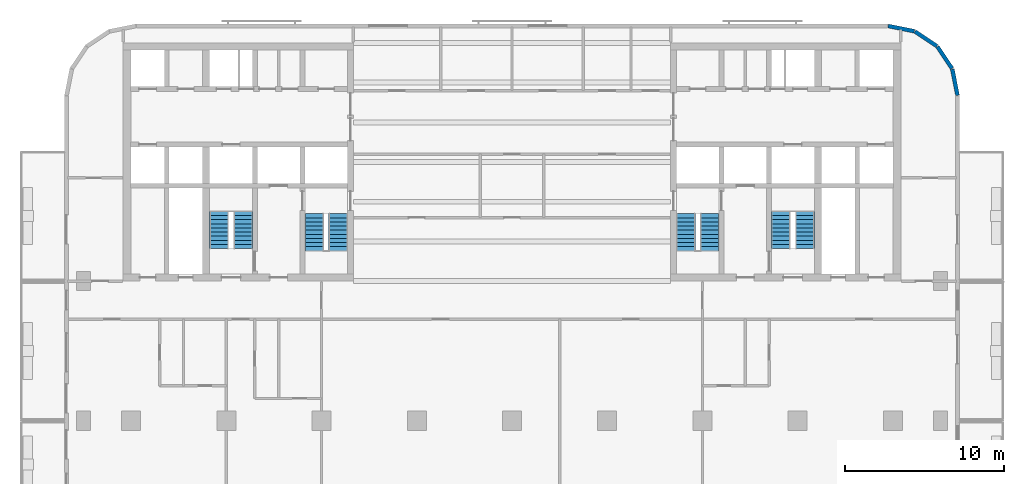
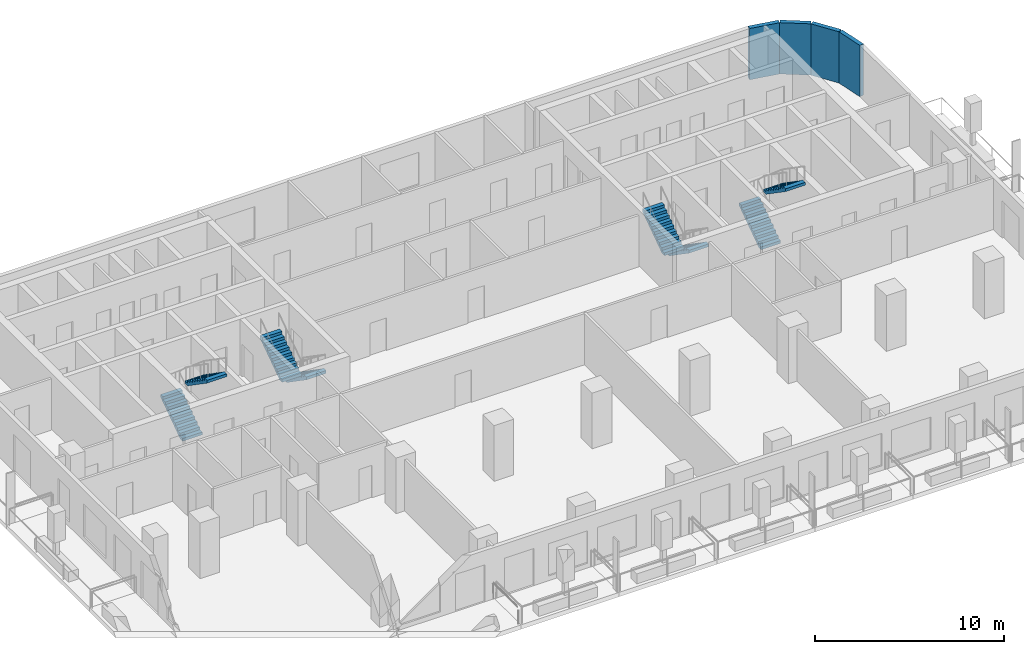
# One storey, part 7 of 11: 8 stair flights, 4 walls, 4 elements without a shape of their own.
"""IFC4 building model written with IfcOpenShell, lengths in metres."""

from ifc_helpers import new_model, si_unit, direction, frame, frame_2d, origin, place, context, subcontext, project, spatial, polyline, rectangle, outline, extrude, material, layer, layer_set, type_object, element, aggregate, save


model = new_model("IFC4")

# Units and contexts
model_context = context("Model", 3, precision=1e-05, world=origin(), true_north=direction((0.0, 1.0)))
body_context = subcontext(model_context, "Body", "Model", "MODEL_VIEW")
ifc_project = project(units=[si_unit("LENGTHUNIT", "METRE"), si_unit("AREAUNIT", "SQUARE_METRE"), si_unit("VOLUMEUNIT", "CUBIC_METRE"), si_unit("PLANEANGLEUNIT", "RADIAN"), si_unit("MASSUNIT", "GRAM", prefix="KILO")], contexts=[model_context])

# Site, building, storey
site_placement = place(None, origin())
site = spatial("IfcSite", under=ifc_project, at=site_placement, CompositionType="ELEMENT")
building_placement = place(site_placement, origin())
building = spatial("IfcBuilding", under=site, at=building_placement, Name="Torana Hotel and Residences", CompositionType="ELEMENT")
storey_placement = place(building_placement, frame((0.0, 0.0, 166.800048828125)))
storey = spatial("IfcBuildingStorey", under=building, at=storey_placement, Name="L43", CompositionType="ELEMENT", Elevation=166.800048828125)

# Walls
ifc_material_1 = material(Name="Black aluminium composite panel", Category="aluminium")
ifc_layer_1 = layer(ifc_material_1, 0.00390625, Name="Cladding", Category="cladding")
ifc_material_2 = material(Name="Ventilated air cavity")
ifc_layer_2 = layer(ifc_material_2, 0.0400390625, Name="Ventilated cavity", Category="cavity")
ifc_material_3 = material(Name="Mineral wool insulation")
ifc_layer_3 = layer(ifc_material_3, 0.090087890625, Name="Insulation", Category="insulation")
ifc_material_4 = material(Name="Steel S280GD", Category="steel")
ifc_layer_4 = layer(ifc_material_4, 0.092041015625, Name="Steel stud frame", Category="structure")
ifc_material_5 = material(Name="Fire rated plasterboard")
ifc_layer_5 = layer(ifc_material_5, 0.011962890625, Name="Inner board", Category="finish")
ifc_layer_6 = layer(ifc_material_5, 0.011962890625, Name="Second board", Category="finish")
ifc_layer_set = layer_set([ifc_layer_1, ifc_layer_2, ifc_layer_3, ifc_layer_4, ifc_layer_5, ifc_layer_6], Name="EW1 EXTERNAL WALL BLACK METAL CLAD 250")
wall_type = type_object("IfcWallType", Name="EW1 EXTERNAL WALL BLACK METAL CLAD 250", PredefinedType="SOLIDWALL", material=ifc_layer_set)
wall_1_placement = place(storey_placement, frame((28.072509765625, -3.30029296875, 0.0), z_axis=(0.0, 0.0, 1.0), x_axis=(-0.194999110559, 0.980803419081, 0.0)))
element("IfcWall", 1, at=wall_1_placement, inside=storey, type_object=wall_type, Name="External wall L43 e0.0", PredefinedType="SOLIDWALL", context=body_context, shape_type="SweptSolid", body=[
    extrude(rectangle(XDim=1.681396484375, YDim=0.25, at=frame_2d((0.8408203125, 0.0))), origin(), (0.0, 0.0, 1.0), 3.320068359375),
])
for number, where, z_axis, x_axis, name in (
    (2, (27.725830078125, -1.60595703125, 0.0), (0.0, 0.0, 1.0), (-0.55555029066, 0.831482937015, 0.0), "External wall L43 e0.1"),
    (3, (26.771240234375, -0.1943359375, 0.0), (0.0, 0.0, 1.0), (-0.831482937015, 0.55555029066, 0.0), "External wall L43 e0.2"),
):
    element("IfcWall", number, at=place(storey_placement, frame(where, z_axis=z_axis, x_axis=x_axis)), inside=storey, type_object=wall_type, Name=name, PredefinedType="SOLIDWALL", context=body_context, shape_type="SweptSolid", body=[
        extrude(rectangle(XDim=1.65625, YDim=0.25, at=frame_2d((0.828125, 0.0))), origin(), (0.0, 0.0, 1.0), 3.320068359375),
    ])
wall_2_placement = place(storey_placement, frame((25.348876953125, 0.74462890625, 0.0), z_axis=(0.0, 0.0, 1.0), x_axis=(-0.980803419081, 0.194999110559, 0.0)))
element("IfcWall", 4, at=wall_2_placement, inside=storey, type_object=wall_type, Name="External wall L43 e0.3", PredefinedType="SOLIDWALL", context=body_context, shape_type="SweptSolid", body=[
    extrude(rectangle(XDim=1.681396484375, YDim=0.25, at=frame_2d((0.8408203125, 0.0))), origin(), (0.0, 0.0, 1.0), 3.320068359375),
])

# Stair, stair flights
ifc_material_6 = material(Name="Concrete C40/50 precast", Category="concrete")
stair_type_1 = type_object("IfcStairType", Name="STAIR ST1 HALF TURN 1200", PredefinedType="HALF_TURN_STAIR", material=ifc_material_6)
stair_1_placement = place(storey_placement, origin())
stair_1 = element("IfcStair", 5, at=stair_1_placement, inside=storey, type_object=stair_type_1, Name="Stair ST1 L43", PredefinedType="HALF_TURN_STAIR")
ifc_material_7 = material(Name="Concrete C40/50 precast", Category="concrete")
stair_flight_type = type_object("IfcStairFlightType", Name="STAIR FLIGHT 1200 PRECAST", PredefinedType="STRAIGHT", material=ifc_material_7)
stair_flight_1_placement = place(storey_placement, frame((-10.949951171875, -10.75, 0.0), z_axis=(0.0, 0.0, 1.0), x_axis=(0.0, -1.0, 0.0)))
stair_flight_1 = element("IfcStairFlight", 6, at=stair_flight_1_placement, type_object=stair_flight_type, Name="ST1 flight 1", NumberOfRisers=10, NumberOfTreads=9, PredefinedType="STRAIGHT", RiserHeight=0.18, TreadLength=0.26, context=body_context, shape_type="SweptSolid", body=[
    extrude(outline(polyline([(0.0, 0.0), (0.0, 0.179931640625), (0.260009765625, 0.179931640625), (0.260009765625, 0.360107421875), (0.52001953125, 0.360107421875), (0.52001953125, 0.5400390625), (0.780029296875, 0.5400390625), (0.780029296875, 0.719970703125), (1.0400390625, 0.719970703125), (1.0400390625, 0.89990234375), (1.300048828125, 0.89990234375), (1.300048828125, 1.080078125), (1.56005859375, 1.080078125), (1.56005859375, 1.260009765625), (1.820068359375, 1.260009765625), (1.820068359375, 1.43994140625), (2.080078125, 1.43994140625), (2.080078125, 1.6201171875), (2.340087890625, 1.6201171875), (2.340087890625, 1.800048828125), (2.340087890625, 1.437744140625), (0.263427734375, 0.0), (0.0, 0.0)])), frame((0.0, 0.60009765625, 0.0), z_axis=(0.0, -1.0, 0.0), x_axis=(1.0, 0.0, 0.0)), (0.0, 0.0, 1.0), 1.199951171875),
])
stair_flight_2_placement = place(storey_placement, frame((-12.449951171875, -13.090087890625, 1.800048828125), z_axis=(0.0, 0.0, 1.0), x_axis=(0.0, 1.0, 0.0)))
stair_flight_2 = element("IfcStairFlight", 7, at=stair_flight_2_placement, type_object=stair_flight_type, Name="ST1 flight 2", NumberOfRisers=10, NumberOfTreads=9, PredefinedType="STRAIGHT", RiserHeight=0.18, TreadLength=0.26, context=body_context, shape_type="SweptSolid", body=[
    extrude(outline(polyline([(0.0, 0.0), (0.0, 0.179931640625), (0.260009765625, 0.179931640625), (0.260009765625, 0.360107421875), (0.52001953125, 0.360107421875), (0.52001953125, 0.5400390625), (0.780029296875, 0.5400390625), (0.780029296875, 0.719970703125), (1.0400390625, 0.719970703125), (1.0400390625, 0.89990234375), (1.300048828125, 0.89990234375), (1.300048828125, 1.080078125), (1.56005859375, 1.080078125), (1.56005859375, 1.260009765625), (1.820068359375, 1.260009765625), (1.820068359375, 1.43994140625), (2.080078125, 1.43994140625), (2.080078125, 1.6201171875), (2.340087890625, 1.6201171875), (2.340087890625, 1.800048828125), (2.340087890625, 1.437744140625), (0.263427734375, 0.0), (0.0, 0.0)])), frame((0.0, 0.60009765625, 0.0), z_axis=(0.0, -1.0, 0.0), x_axis=(1.0, 0.0, 0.0)), (0.0, 0.0, 1.0), 1.199951171875),
])
aggregate(stair_1, [stair_flight_1, stair_flight_2])

ifc_material_8 = material(Name="Concrete C40/50 precast", Category="concrete")
stair_type_2 = type_object("IfcStairType", Name="STAIR ST2 HALF TURN 1200", PredefinedType="HALF_TURN_STAIR", material=ifc_material_8)
stair_2_placement = place(storey_placement, origin())
stair_2 = element("IfcStair", 8, at=stair_2_placement, inside=storey, type_object=stair_type_2, Name="Stair ST2 L43", PredefinedType="HALF_TURN_STAIR")
stair_flight_3_placement = place(storey_placement, frame((-18.449951171875, -12.949951171875, 0.0), z_axis=(0.0, 0.0, 1.0), x_axis=(0.0, 1.0, 0.0)))
stair_flight_3 = element("IfcStairFlight", 9, at=stair_flight_3_placement, type_object=stair_flight_type, Name="ST2 flight 1", NumberOfRisers=10, NumberOfTreads=9, PredefinedType="STRAIGHT", RiserHeight=0.18, TreadLength=0.26, context=body_context, shape_type="SweptSolid", body=[
    extrude(outline(polyline([(0.0, 0.0), (0.0, 0.179931640625), (0.260009765625, 0.179931640625), (0.260009765625, 0.360107421875), (0.52001953125, 0.360107421875), (0.52001953125, 0.5400390625), (0.780029296875, 0.5400390625), (0.780029296875, 0.719970703125), (1.0400390625, 0.719970703125), (1.0400390625, 0.89990234375), (1.300048828125, 0.89990234375), (1.300048828125, 1.080078125), (1.56005859375, 1.080078125), (1.56005859375, 1.260009765625), (1.820068359375, 1.260009765625), (1.820068359375, 1.43994140625), (2.080078125, 1.43994140625), (2.080078125, 1.6201171875), (2.340087890625, 1.6201171875), (2.340087890625, 1.800048828125), (2.340087890625, 1.437744140625), (0.263427734375, 0.0), (0.0, 0.0)])), frame((0.0, 0.60009765625, 0.0), z_axis=(0.0, -1.0, 0.0), x_axis=(1.0, 0.0, 0.0)), (0.0, 0.0, 1.0), 1.199951171875),
])
stair_flight_4_placement = place(storey_placement, frame((-16.949951171875, -10.610107421875, 1.800048828125), z_axis=(0.0, 0.0, 1.0), x_axis=(0.0, -1.0, 0.0)))
stair_flight_4 = element("IfcStairFlight", 10, at=stair_flight_4_placement, type_object=stair_flight_type, Name="ST2 flight 2", NumberOfRisers=10, NumberOfTreads=9, PredefinedType="STRAIGHT", RiserHeight=0.18, TreadLength=0.26, context=body_context, shape_type="SweptSolid", body=[
    extrude(outline(polyline([(0.0, 0.0), (0.0, 0.179931640625), (0.260009765625, 0.179931640625), (0.260009765625, 0.360107421875), (0.52001953125, 0.360107421875), (0.52001953125, 0.5400390625), (0.780029296875, 0.5400390625), (0.780029296875, 0.719970703125), (1.0400390625, 0.719970703125), (1.0400390625, 0.89990234375), (1.300048828125, 0.89990234375), (1.300048828125, 1.080078125), (1.56005859375, 1.080078125), (1.56005859375, 1.260009765625), (1.820068359375, 1.260009765625), (1.820068359375, 1.43994140625), (2.080078125, 1.43994140625), (2.080078125, 1.6201171875), (2.340087890625, 1.6201171875), (2.340087890625, 1.800048828125), (2.340087890625, 1.437744140625), (0.263427734375, 0.0), (0.0, 0.0)])), frame((0.0, 0.60009765625, 0.0), z_axis=(0.0, -1.0, 0.0), x_axis=(1.0, 0.0, 0.0)), (0.0, 0.0, 1.0), 1.199951171875),
])
aggregate(stair_2, [stair_flight_3, stair_flight_4])

ifc_material_9 = material(Name="Concrete C40/50 precast", Category="concrete")
stair_type_3 = type_object("IfcStairType", Name="STAIR ST3 HALF TURN 1200", PredefinedType="HALF_TURN_STAIR", material=ifc_material_9)
stair_3_placement = place(storey_placement, origin())
stair_3 = element("IfcStair", 11, at=stair_3_placement, inside=storey, type_object=stair_type_3, Name="Stair ST3 L43", PredefinedType="HALF_TURN_STAIR")
stair_flight_5_placement = place(storey_placement, frame((12.449951171875, -10.75, 0.0), z_axis=(0.0, 0.0, 1.0), x_axis=(0.0, -1.0, 0.0)))
stair_flight_5 = element("IfcStairFlight", 12, at=stair_flight_5_placement, type_object=stair_flight_type, Name="ST3 flight 1", NumberOfRisers=10, NumberOfTreads=9, PredefinedType="STRAIGHT", RiserHeight=0.18, TreadLength=0.26, context=body_context, shape_type="SweptSolid", body=[
    extrude(outline(polyline([(0.0, 0.0), (0.0, 0.179931640625), (0.260009765625, 0.179931640625), (0.260009765625, 0.360107421875), (0.52001953125, 0.360107421875), (0.52001953125, 0.5400390625), (0.780029296875, 0.5400390625), (0.780029296875, 0.719970703125), (1.0400390625, 0.719970703125), (1.0400390625, 0.89990234375), (1.300048828125, 0.89990234375), (1.300048828125, 1.080078125), (1.56005859375, 1.080078125), (1.56005859375, 1.260009765625), (1.820068359375, 1.260009765625), (1.820068359375, 1.43994140625), (2.080078125, 1.43994140625), (2.080078125, 1.6201171875), (2.340087890625, 1.6201171875), (2.340087890625, 1.800048828125), (2.340087890625, 1.437744140625), (0.263427734375, 0.0), (0.0, 0.0)])), frame((0.0, 0.60009765625, 0.0), z_axis=(0.0, -1.0, 0.0), x_axis=(1.0, 0.0, 0.0)), (0.0, 0.0, 1.0), 1.199951171875),
])
stair_flight_6_placement = place(storey_placement, frame((10.949951171875, -13.090087890625, 1.800048828125), z_axis=(0.0, 0.0, 1.0), x_axis=(0.0, 1.0, 0.0)))
stair_flight_6 = element("IfcStairFlight", 13, at=stair_flight_6_placement, type_object=stair_flight_type, Name="ST3 flight 2", NumberOfRisers=10, NumberOfTreads=9, PredefinedType="STRAIGHT", RiserHeight=0.18, TreadLength=0.26, context=body_context, shape_type="SweptSolid", body=[
    extrude(outline(polyline([(0.0, 0.0), (0.0, 0.179931640625), (0.260009765625, 0.179931640625), (0.260009765625, 0.360107421875), (0.52001953125, 0.360107421875), (0.52001953125, 0.5400390625), (0.780029296875, 0.5400390625), (0.780029296875, 0.719970703125), (1.0400390625, 0.719970703125), (1.0400390625, 0.89990234375), (1.300048828125, 0.89990234375), (1.300048828125, 1.080078125), (1.56005859375, 1.080078125), (1.56005859375, 1.260009765625), (1.820068359375, 1.260009765625), (1.820068359375, 1.43994140625), (2.080078125, 1.43994140625), (2.080078125, 1.6201171875), (2.340087890625, 1.6201171875), (2.340087890625, 1.800048828125), (2.340087890625, 1.437744140625), (0.263427734375, 0.0), (0.0, 0.0)])), frame((0.0, 0.60009765625, 0.0), z_axis=(0.0, -1.0, 0.0), x_axis=(1.0, 0.0, 0.0)), (0.0, 0.0, 1.0), 1.199951171875),
])
aggregate(stair_3, [stair_flight_5, stair_flight_6])

ifc_material_10 = material(Name="Concrete C40/50 precast", Category="concrete")
stair_type_4 = type_object("IfcStairType", Name="STAIR ST4 HALF TURN 1200", PredefinedType="HALF_TURN_STAIR", material=ifc_material_10)
stair_4_placement = place(storey_placement, origin())
stair_4 = element("IfcStair", 14, at=stair_4_placement, inside=storey, type_object=stair_type_4, Name="Stair ST4 L43", PredefinedType="HALF_TURN_STAIR")
stair_flight_7_placement = place(storey_placement, frame((16.949951171875, -12.949951171875, 0.0), z_axis=(0.0, 0.0, 1.0), x_axis=(0.0, 1.0, 0.0)))
stair_flight_7 = element("IfcStairFlight", 15, at=stair_flight_7_placement, type_object=stair_flight_type, Name="ST4 flight 1", NumberOfRisers=10, NumberOfTreads=9, PredefinedType="STRAIGHT", RiserHeight=0.18, TreadLength=0.26, context=body_context, shape_type="SweptSolid", body=[
    extrude(outline(polyline([(0.0, 0.0), (0.0, 0.179931640625), (0.260009765625, 0.179931640625), (0.260009765625, 0.360107421875), (0.52001953125, 0.360107421875), (0.52001953125, 0.5400390625), (0.780029296875, 0.5400390625), (0.780029296875, 0.719970703125), (1.0400390625, 0.719970703125), (1.0400390625, 0.89990234375), (1.300048828125, 0.89990234375), (1.300048828125, 1.080078125), (1.56005859375, 1.080078125), (1.56005859375, 1.260009765625), (1.820068359375, 1.260009765625), (1.820068359375, 1.43994140625), (2.080078125, 1.43994140625), (2.080078125, 1.6201171875), (2.340087890625, 1.6201171875), (2.340087890625, 1.800048828125), (2.340087890625, 1.437744140625), (0.263427734375, 0.0), (0.0, 0.0)])), frame((0.0, 0.60009765625, 0.0), z_axis=(0.0, -1.0, 0.0), x_axis=(1.0, 0.0, 0.0)), (0.0, 0.0, 1.0), 1.199951171875),
])
stair_flight_8_placement = place(storey_placement, frame((18.449951171875, -10.610107421875, 1.800048828125), z_axis=(0.0, 0.0, 1.0), x_axis=(0.0, -1.0, 0.0)))
stair_flight_8 = element("IfcStairFlight", 16, at=stair_flight_8_placement, type_object=stair_flight_type, Name="ST4 flight 2", NumberOfRisers=10, NumberOfTreads=9, PredefinedType="STRAIGHT", RiserHeight=0.18, TreadLength=0.26, context=body_context, shape_type="SweptSolid", body=[
    extrude(outline(polyline([(0.0, 0.0), (0.0, 0.179931640625), (0.260009765625, 0.179931640625), (0.260009765625, 0.360107421875), (0.52001953125, 0.360107421875), (0.52001953125, 0.5400390625), (0.780029296875, 0.5400390625), (0.780029296875, 0.719970703125), (1.0400390625, 0.719970703125), (1.0400390625, 0.89990234375), (1.300048828125, 0.89990234375), (1.300048828125, 1.080078125), (1.56005859375, 1.080078125), (1.56005859375, 1.260009765625), (1.820068359375, 1.260009765625), (1.820068359375, 1.43994140625), (2.080078125, 1.43994140625), (2.080078125, 1.6201171875), (2.340087890625, 1.6201171875), (2.340087890625, 1.800048828125), (2.340087890625, 1.437744140625), (0.263427734375, 0.0), (0.0, 0.0)])), frame((0.0, 0.60009765625, 0.0), z_axis=(0.0, -1.0, 0.0), x_axis=(1.0, 0.0, 0.0)), (0.0, 0.0, 1.0), 1.199951171875),
])
aggregate(stair_4, [stair_flight_7, stair_flight_8])

save(model, "model.ifc")
